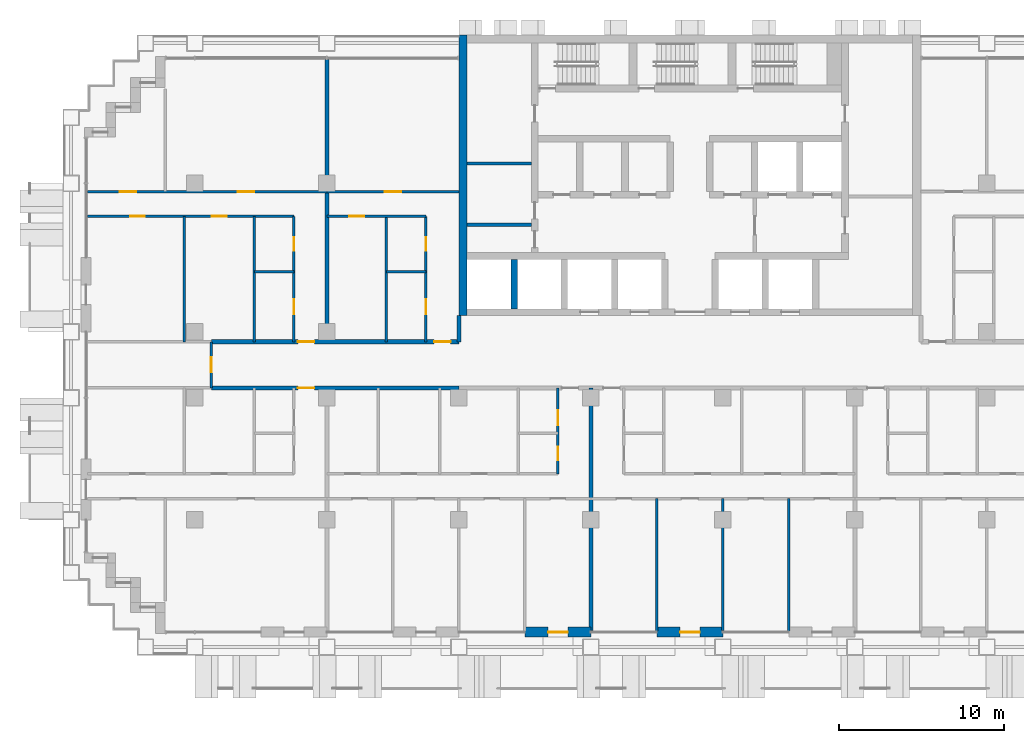
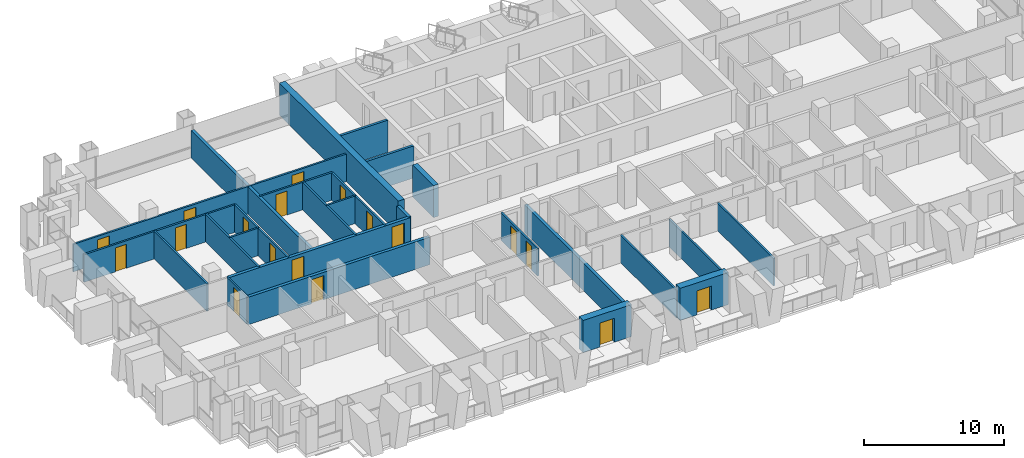
# One storey, part 10 of 19: 27 walls, 18 doors, 18 openings.
"""IFC4 building model written with IfcOpenShell, lengths in metres."""

from ifc_helpers import new_model, si_unit, direction, frame, frame_2d, origin, place, context, subcontext, project, spatial, rectangle, extrude, material, layer, layer_set, type_object, element, fill, save


model = new_model("IFC4")

# Units and contexts
model_context = context("Model", 3, precision=1e-05, world=origin(), true_north=direction((0.0, 1.0)))
body_context = subcontext(model_context, "Body", "Model", "MODEL_VIEW")
ifc_project = project(units=[si_unit("LENGTHUNIT", "METRE"), si_unit("AREAUNIT", "SQUARE_METRE"), si_unit("VOLUMEUNIT", "CUBIC_METRE"), si_unit("PLANEANGLEUNIT", "RADIAN"), si_unit("MASSUNIT", "GRAM", prefix="KILO")], contexts=[model_context])

# Site, building, storey
site_placement = place(None, origin())
site = spatial("IfcSite", under=ifc_project, at=site_placement, CompositionType="ELEMENT")
building_placement = place(site_placement, origin())
building = spatial("IfcBuilding", under=site, at=building_placement, Name="Vidyagriha Tower", CompositionType="ELEMENT")
storey_placement = place(building_placement, frame((0.0, 0.0, 60.800048828125)))
storey = spatial("IfcBuildingStorey", under=building, at=storey_placement, Name="L16", CompositionType="ELEMENT", Elevation=60.800048828125)

# Wall, opening, door
ifc_material_1 = material(Name="Precast concrete C40/50 with brick facing", Category="concrete")
ifc_layer_1 = layer(ifc_material_1, 0.60009765625)
ifc_layer_set_1 = layer_set([ifc_layer_1], Name="Precast concrete C40/50 with brick facing")
wall_type_1 = type_object("IfcWallType", Name="Brick-faced precast wall 600", PredefinedType="STANDARD", material=ifc_layer_set_1)
wall_1_placement = place(storey_placement, frame((-10.0, -16.199951171875, 0.0)))
wall_1 = element("IfcWall", 1, at=wall_1_placement, inside=storey, type_object=wall_type_1, Name="Brick door bay wall L16 R23.7", PredefinedType="STANDARD", context=body_context, shape_type="SweptSolid", body=[
    extrude(rectangle(XDim=4.0, YDim=0.60009765625, at=frame_2d((2.0, 0.0))), origin(), (0.0, 0.0, 1.0), 2.800048828125),
])
opening_1_placement = place(wall_1_placement, frame((1.39990234375, 0.0, 0.0)))
opening_1 = element("IfcOpeningElement", 2, at=opening_1_placement, cuts=wall_1, Name="Opening D16-85", PredefinedType="OPENING", context=body_context, shape_type="SweptSolid", body=[
    extrude(rectangle(XDim=1.199951171875, YDim=2.10009765625, at=frame_2d((0.60009765625, 1.050048828125))), frame((0.0, 0.31005859375, 0.0), z_axis=(0.0, -1.0, 0.0), x_axis=(1.0, 0.0, 0.0)), (0.0, 0.0, 1.0), 0.6201171875),
])
ifc_material_2 = material(Name="Aluminium framed glazed sliding door", Category="aluminium")
door_type_1 = type_object("IfcDoorType", Name="Balcony sliding door 1200x2100", OperationType="NOTDEFINED", PredefinedType="DOOR", material=ifc_material_2)
door_1_placement = place(opening_1_placement, origin())
door_1 = element("IfcDoor", 3, at=door_1_placement, inside=storey, type_object=door_type_1, Name="Door D16-85", OperationType="SLIDING_TO_LEFT", OverallHeight=2.10009765625, OverallWidth=1.199951171875, PredefinedType="DOOR", context=body_context, shape_type="SweptSolid", body=[
    extrude(rectangle(XDim=1.199951171875, YDim=2.10009765625, at=frame_2d((0.60009765625, 1.050048828125))), frame((0.0, 0.02490234375, 0.0), z_axis=(0.0, -1.0, 0.0), x_axis=(1.0, 0.0, 0.0)), (0.0, 0.0, 1.0), 0.050048828125),
])
fill(opening_1, door_1)

wall_2_placement = place(storey_placement, frame((-2.0, -16.199951171875, 0.0)))
wall_2 = element("IfcWall", 4, at=wall_2_placement, inside=storey, type_object=wall_type_1, Name="Brick door bay wall L16 R23.9", PredefinedType="STANDARD", context=body_context, shape_type="SweptSolid", body=[
    extrude(rectangle(XDim=4.0, YDim=0.60009765625, at=frame_2d((2.0, 0.0))), origin(), (0.0, 0.0, 1.0), 2.800048828125),
])
opening_2_placement = place(wall_2_placement, frame((1.39990234375, 0.0, 0.0)))
opening_2 = element("IfcOpeningElement", 5, at=opening_2_placement, cuts=wall_2, Name="Opening D16-86", PredefinedType="OPENING", context=body_context, shape_type="SweptSolid", body=[
    extrude(rectangle(XDim=1.199951171875, YDim=2.10009765625, at=frame_2d((0.60009765625, 1.050048828125))), frame((0.0, 0.31005859375, 0.0), z_axis=(0.0, -1.0, 0.0), x_axis=(1.0, 0.0, 0.0)), (0.0, 0.0, 1.0), 0.6201171875),
])
door_2_placement = place(opening_2_placement, origin())
door_2 = element("IfcDoor", 6, at=door_2_placement, inside=storey, type_object=door_type_1, Name="Door D16-86", OperationType="SLIDING_TO_LEFT", OverallHeight=2.10009765625, OverallWidth=1.199951171875, PredefinedType="DOOR", context=body_context, shape_type="SweptSolid", body=[
    extrude(rectangle(XDim=1.199951171875, YDim=2.10009765625, at=frame_2d((0.60009765625, 1.050048828125))), frame((0.0, 0.02490234375, 0.0), z_axis=(0.0, -1.0, 0.0), x_axis=(1.0, 0.0, 0.0)), (0.0, 0.0, 1.0), 0.050048828125),
])
fill(opening_2, door_2)

# Walls
ifc_material_3 = material(Name="Concrete C60/75", Category="concrete")
ifc_layer_2 = layer(ifc_material_3, 0.39990234375)
ifc_layer_set_2 = layer_set([ifc_layer_2], Name="Concrete C60/75")
wall_type_2 = type_object("IfcWallType", Name="Core shear wall 400 mm", PredefinedType="SHEAR", material=ifc_layer_set_2)
wall_3_placement = place(storey_placement, frame((-10.655517578125, 3.39990234375, 0.0), z_axis=(0.0, 0.0, 1.0), x_axis=(0.0, 1.0, 0.0)))
element("IfcWall", 7, at=wall_3_placement, inside=storey, type_object=wall_type_2, Name="Core bay wall S1", PredefinedType="SHEAR", context=body_context, shape_type="SweptSolid", body=[
    extrude(rectangle(XDim=3.0, YDim=0.39990234375, at=frame_2d((1.5, 0.0))), origin(), (0.0, 0.0, 1.0), 2.800048828125),
])
ifc_material_4 = material(Name="Concrete C60/75", Category="concrete")
ifc_layer_3 = layer(ifc_material_4, 0.5)
ifc_layer_set_3 = layer_set([ifc_layer_3], Name="Concrete C60/75")
wall_type_3 = type_object("IfcWallType", Name="Core shear wall 500 mm", PredefinedType="SHEAR", material=ifc_layer_set_3)
wall_4_placement = place(storey_placement, frame((-13.75, 3.0, 0.0), z_axis=(0.0, 0.0, 1.0), x_axis=(0.0, 1.0, 0.0)))
element("IfcWall", 8, at=wall_4_placement, inside=storey, type_object=wall_type_3, Name="Core west wall", PredefinedType="SHEAR", context=body_context, shape_type="SweptSolid", body=[
    extrude(rectangle(XDim=17.0, YDim=0.5, at=frame_2d((8.5, 0.0))), origin(), (0.0, 0.0, 1.0), 2.800048828125),
])

# Wall, opening, door
ifc_material_5 = material(Name="Fired clay brick masonry", Category="masonry")
ifc_layer_4 = layer(ifc_material_5, 0.25)
ifc_layer_set_4 = layer_set([ifc_layer_4], Name="Fired clay brick masonry")
wall_type_4 = type_object("IfcWallType", Name="Fired clay brick corridor wall 250", PredefinedType="PARTITIONING", material=ifc_layer_set_4)
wall_5_placement = place(storey_placement, frame((-14.0, -1.39990234375, 0.0), z_axis=(0.0, 0.0, 1.0), x_axis=(-1.0, 0.0, 0.0)))
wall_5 = element("IfcWall", 9, at=wall_5_placement, inside=storey, type_object=wall_type_4, Name="Wall all-L16-w089", PredefinedType="PARTITIONING", context=body_context, shape_type="SweptSolid", body=[
    extrude(rectangle(XDim=15.0, YDim=0.25, at=frame_2d((7.5, 0.0))), origin(), (0.0, 0.0, 1.0), 2.39990234375),
])
opening_3_placement = place(wall_5_placement, frame((8.760009765625, 0.0, 0.0)))
opening_3 = element("IfcOpeningElement", 10, at=opening_3_placement, cuts=wall_5, Name="Opening D16-21", PredefinedType="OPENING", context=body_context, shape_type="SweptSolid", body=[
    extrude(rectangle(XDim=1.0, YDim=2.10009765625, at=frame_2d((0.5, 1.050048828125))), frame((0.0, 0.135009765625, 0.0), z_axis=(0.0, -1.0, 0.0), x_axis=(1.0, 0.0, 0.0)), (0.0, 0.0, 1.0), 0.27001953125),
])
ifc_material_6 = material(Name="Fire-rated timber door leaf EI 60", Category="wood")
door_type_2 = type_object("IfcDoorType", Name="Flat entrance fire door 1000x2100", OperationType="NOTDEFINED", PredefinedType="DOOR", material=ifc_material_6)
door_3_placement = place(opening_3_placement, origin())
door_3 = element("IfcDoor", 11, at=door_3_placement, inside=storey, type_object=door_type_2, Name="Door D16-21", OperationType="SINGLE_SWING_LEFT", OverallHeight=2.10009765625, OverallWidth=1.0, PredefinedType="DOOR", context=body_context, shape_type="SweptSolid", body=[
    extrude(rectangle(XDim=1.0, YDim=2.10009765625, at=frame_2d((0.5, 1.050048828125))), frame((0.0, 0.02490234375, 0.0), z_axis=(0.0, -1.0, 0.0), x_axis=(1.0, 0.0, 0.0)), (0.0, 0.0, 1.0), 0.050048828125),
])
fill(opening_3, door_3)

# Wall, openings, doors
wall_6_placement = place(storey_placement, frame((-29.0, 1.39990234375, 0.0)))
wall_6 = element("IfcWall", 12, at=wall_6_placement, inside=storey, type_object=wall_type_4, Name="Wall all-L16-w118", PredefinedType="PARTITIONING", context=body_context, shape_type="SweptSolid", body=[
    extrude(rectangle(XDim=15.0, YDim=0.25, at=frame_2d((7.5, 0.0))), origin(), (0.0, 0.0, 1.0), 2.39990234375),
])
opening_4_placement = place(wall_6_placement, frame((5.239990234375, 0.0, 0.0)))
opening_4 = element("IfcOpeningElement", 13, at=opening_4_placement, cuts=wall_6, Name="Opening D16-63", PredefinedType="OPENING", context=body_context, shape_type="SweptSolid", body=[
    extrude(rectangle(XDim=1.0, YDim=2.10009765625, at=frame_2d((0.5, 1.050048828125))), frame((0.0, 0.135009765625, 0.0), z_axis=(0.0, -1.0, 0.0), x_axis=(1.0, 0.0, 0.0)), (0.0, 0.0, 1.0), 0.27001953125),
])
opening_5_placement = place(wall_6_placement, frame((13.5, 0.0, 0.0)))
opening_5 = element("IfcOpeningElement", 14, at=opening_5_placement, cuts=wall_6, Name="Opening D16-68", PredefinedType="OPENING", context=body_context, shape_type="SweptSolid", body=[
    extrude(rectangle(XDim=1.0, YDim=2.10009765625, at=frame_2d((0.5, 1.050048828125))), frame((0.0, 0.135009765625, 0.0), z_axis=(0.0, -1.0, 0.0), x_axis=(1.0, 0.0, 0.0)), (0.0, 0.0, 1.0), 0.27001953125),
])
door_4_placement = place(opening_4_placement, origin())
door_4 = element("IfcDoor", 15, at=door_4_placement, inside=storey, type_object=door_type_2, Name="Door D16-63", OperationType="SINGLE_SWING_RIGHT", OverallHeight=2.10009765625, OverallWidth=1.0, PredefinedType="DOOR", context=body_context, shape_type="SweptSolid", body=[
    extrude(rectangle(XDim=1.0, YDim=2.10009765625, at=frame_2d((0.5, 1.050048828125))), frame((0.0, 0.02490234375, 0.0), z_axis=(0.0, -1.0, 0.0), x_axis=(1.0, 0.0, 0.0)), (0.0, 0.0, 1.0), 0.050048828125),
])
fill(opening_4, door_4)
door_5_placement = place(opening_5_placement, origin())
door_5 = element("IfcDoor", 16, at=door_5_placement, inside=storey, type_object=door_type_2, Name="Door D16-68", OperationType="SINGLE_SWING_RIGHT", OverallHeight=2.10009765625, OverallWidth=1.0, PredefinedType="DOOR", context=body_context, shape_type="SweptSolid", body=[
    extrude(rectangle(XDim=1.0, YDim=2.10009765625, at=frame_2d((0.5, 1.050048828125))), frame((0.0, 0.02490234375, 0.0), z_axis=(0.0, -1.0, 0.0), x_axis=(1.0, 0.0, 0.0)), (0.0, 0.0, 1.0), 0.050048828125),
])
fill(opening_5, door_5)

# Walls
wall_7_placement = place(storey_placement, frame((-14.0, 3.0, 0.0), z_axis=(0.0, 0.0, 1.0), x_axis=(0.0, -1.0, 0.0)))
element("IfcWall", 17, at=wall_7_placement, inside=storey, type_object=wall_type_4, Name="Wall all-L16-w147", PredefinedType="PARTITIONING", context=body_context, shape_type="SweptSolid", body=[
    extrude(rectangle(XDim=1.60009765625, YDim=0.25, at=frame_2d((0.800048828125, 0.0))), origin(), (0.0, 0.0, 1.0), 2.39990234375),
])
ifc_material_7 = material(Name="Fired clay brick masonry", Category="masonry")
ifc_layer_5 = layer(ifc_material_7, 0.25)
ifc_layer_set_5 = layer_set([ifc_layer_5], Name="Fired clay brick masonry")
wall_type_5 = type_object("IfcWallType", Name="Fired clay brick demising wall 250", PredefinedType="PARTITIONING", material=ifc_layer_set_5)
wall_8_placement = place(storey_placement, frame((-6.0, -1.39990234375, 0.0), z_axis=(0.0, 0.0, 1.0), x_axis=(0.0, -1.0, 0.0)))
element("IfcWall", 18, at=wall_8_placement, inside=storey, type_object=wall_type_5, Name="Wall all-L16-w056", PredefinedType="PARTITIONING", context=body_context, shape_type="SweptSolid", body=[
    extrude(rectangle(XDim=14.710205078125, YDim=0.25, at=frame_2d((7.35498046875, 0.0))), origin(), (0.0, 0.0, 1.0), 2.39990234375),
])
wall_9_placement = place(storey_placement, frame((-22.0, 18.52099609375, 0.0), z_axis=(0.0, 0.0, 1.0), x_axis=(0.0, -1.0, 0.0)))
element("IfcWall", 19, at=wall_9_placement, inside=storey, type_object=wall_type_5, Name="Wall all-L16-w117", PredefinedType="PARTITIONING", context=body_context, shape_type="SweptSolid", body=[
    extrude(rectangle(XDim=17.12109375, YDim=0.25, at=frame_2d((8.560546875, 0.0))), origin(), (0.0, 0.0, 1.0), 2.39990234375),
])
ifc_material_8 = material(Name="Gypsum board partition")
ifc_layer_6 = layer(ifc_material_8, 0.14990234375)
ifc_layer_set_6 = layer_set([ifc_layer_6], Name="Gypsum board partition")
wall_type_6 = type_object("IfcWallType", Name="Gypsum board partition 150", PredefinedType="PARTITIONING", material=ifc_layer_set_6)
wall_10_placement = place(storey_placement, frame((-2.0, -8.10009765625, 0.0), z_axis=(0.0, 0.0, 1.0), x_axis=(0.0, -1.0, 0.0)))
element("IfcWall", 20, at=wall_10_placement, inside=storey, type_object=wall_type_6, Name="Wall all-L16-w052", PredefinedType="PARTITIONING", context=body_context, shape_type="SweptSolid", body=[
    extrude(rectangle(XDim=8.02099609375, YDim=0.14990234375, at=frame_2d((4.010498046875, 0.0))), origin(), (0.0, 0.0, 1.0), 2.39990234375),
])
wall_11_placement = place(storey_placement, frame((2.0, -8.10009765625, 0.0), z_axis=(0.0, 0.0, 1.0), x_axis=(0.0, -1.0, 0.0)))
element("IfcWall", 21, at=wall_11_placement, inside=storey, type_object=wall_type_6, Name="Wall all-L16-w053", PredefinedType="PARTITIONING", context=body_context, shape_type="SweptSolid", body=[
    extrude(rectangle(XDim=8.010009765625, YDim=0.14990234375, at=frame_2d((4.0048828125, 0.0))), origin(), (0.0, 0.0, 1.0), 2.39990234375),
])
wall_12_placement = place(storey_placement, frame((6.0, -8.10009765625, 0.0), z_axis=(0.0, 0.0, 1.0), x_axis=(0.0, -1.0, 0.0)))
element("IfcWall", 22, at=wall_12_placement, inside=storey, type_object=wall_type_6, Name="Wall all-L16-w054", PredefinedType="PARTITIONING", context=body_context, shape_type="SweptSolid", body=[
    extrude(rectangle(XDim=8.02099609375, YDim=0.14990234375, at=frame_2d((4.010498046875, 0.0))), origin(), (0.0, 0.0, 1.0), 2.39990234375),
])
wall_13_placement = place(storey_placement, frame((-26.39990234375, 5.64990234375, 0.0)))
element("IfcWall", 23, at=wall_13_placement, inside=storey, type_object=wall_type_6, Name="Wall all-L16-w096", PredefinedType="PARTITIONING", context=body_context, shape_type="SweptSolid", body=[
    extrude(rectangle(XDim=2.39990234375, YDim=0.14990234375, at=frame_2d((1.199951171875, 0.0))), origin(), (0.0, 0.0, 1.0), 2.39990234375),
])
for number, where, z_axis, x_axis, name in (
    (24, (-26.39990234375, 1.39990234375, 0.0), (0.0, 0.0, 1.0), (0.0, 1.0, 0.0), "Wall all-L16-w097"),
    (25, (-30.64990234375, 1.39990234375, 0.0), (0.0, 0.0, 1.0), (0.0, 1.0, 0.0), "Wall all-L16-w098"),
):
    element("IfcWall", number, at=place(storey_placement, frame(where, z_axis=z_axis, x_axis=x_axis)), inside=storey, type_object=wall_type_6, Name=name, PredefinedType="PARTITIONING", context=body_context, shape_type="SweptSolid", body=[
        extrude(rectangle(XDim=7.60009765625, YDim=0.14990234375, at=frame_2d((3.800048828125, 0.0))), origin(), (0.0, 0.0, 1.0), 2.39990234375),
    ])

# Wall, openings, doors
wall_14_placement = place(storey_placement, frame((-24.0, 9.0, 0.0), z_axis=(0.0, 0.0, 1.0), x_axis=(-1.0, 0.0, 0.0)))
wall_14 = element("IfcWall", 26, at=wall_14_placement, inside=storey, type_object=wall_type_6, Name="Wall all-L16-w099", PredefinedType="PARTITIONING", context=body_context, shape_type="SweptSolid", body=[
    extrude(rectangle(XDim=12.52001953125, YDim=0.14990234375, at=frame_2d((6.260009765625, 0.0))), origin(), (0.0, 0.0, 1.0), 2.39990234375),
])
opening_6_placement = place(wall_14_placement, frame((4.074951171875, 0.0, 0.0)))
opening_6 = element("IfcOpeningElement", 27, at=opening_6_placement, cuts=wall_14, Name="Opening D16-59", PredefinedType="OPENING", context=body_context, shape_type="SweptSolid", body=[
    extrude(rectangle(XDim=0.89990234375, YDim=2.10009765625, at=frame_2d((0.449951171875, 1.050048828125))), frame((0.0, 0.0849609375, 0.0), z_axis=(0.0, -1.0, 0.0), x_axis=(1.0, 0.0, 0.0)), (0.0, 0.0, 1.0), 0.169921875),
])
opening_7_placement = place(wall_14_placement, frame((9.02490234375, 0.0, 0.0)))
opening_7 = element("IfcOpeningElement", 28, at=opening_7_placement, cuts=wall_14, Name="Opening D16-60", PredefinedType="OPENING", context=body_context, shape_type="SweptSolid", body=[
    extrude(rectangle(XDim=0.89990234375, YDim=2.10009765625, at=frame_2d((0.449951171875, 1.050048828125))), frame((0.0, 0.0849609375, 0.0), z_axis=(0.0, -1.0, 0.0), x_axis=(1.0, 0.0, 0.0)), (0.0, 0.0, 1.0), 0.169921875),
])
ifc_material_9 = material(Name="Timber door leaf", Category="wood")
door_type_3 = type_object("IfcDoorType", Name="Room door 900x2100", OperationType="NOTDEFINED", PredefinedType="DOOR", material=ifc_material_9)
door_6_placement = place(opening_6_placement, origin())
door_6 = element("IfcDoor", 29, at=door_6_placement, inside=storey, type_object=door_type_3, Name="Door D16-59", OperationType="SINGLE_SWING_RIGHT", OverallHeight=2.10009765625, OverallWidth=0.89990234375, PredefinedType="DOOR", context=body_context, shape_type="SweptSolid", body=[
    extrude(rectangle(XDim=0.89990234375, YDim=2.10009765625, at=frame_2d((0.449951171875, 1.050048828125))), frame((0.0, 0.02490234375, 0.0), z_axis=(0.0, -1.0, 0.0), x_axis=(1.0, 0.0, 0.0)), (0.0, 0.0, 1.0), 0.050048828125),
])
fill(opening_6, door_6)
door_7_placement = place(opening_7_placement, origin())
door_7 = element("IfcDoor", 30, at=door_7_placement, inside=storey, type_object=door_type_3, Name="Door D16-60", OperationType="SINGLE_SWING_RIGHT", OverallHeight=2.10009765625, OverallWidth=0.89990234375, PredefinedType="DOOR", context=body_context, shape_type="SweptSolid", body=[
    extrude(rectangle(XDim=0.89990234375, YDim=2.10009765625, at=frame_2d((0.449951171875, 1.050048828125))), frame((0.0, 0.02490234375, 0.0), z_axis=(0.0, -1.0, 0.0), x_axis=(1.0, 0.0, 0.0)), (0.0, 0.0, 1.0), 0.050048828125),
])
fill(opening_7, door_7)

wall_15_placement = place(storey_placement, frame((-36.52001953125, 10.5, 0.0)))
wall_15 = element("IfcWall", 31, at=wall_15_placement, inside=storey, type_object=wall_type_6, Name="Wall all-L16-w102", PredefinedType="PARTITIONING", context=body_context, shape_type="SweptSolid", body=[
    extrude(rectangle(XDim=14.52001953125, YDim=0.14990234375, at=frame_2d((7.260009765625, 0.0))), origin(), (0.0, 0.0, 1.0), 2.39990234375),
])
opening_8_placement = place(wall_15_placement, frame((1.969970703125, 0.0, 0.0)))
opening_8 = element("IfcOpeningElement", 32, at=opening_8_placement, cuts=wall_15, Name="Opening D16-61", PredefinedType="OPENING", context=body_context, shape_type="SweptSolid", body=[
    extrude(rectangle(XDim=1.0, YDim=2.10009765625, at=frame_2d((0.5, 1.050048828125))), frame((0.0, 0.0849609375, 0.0), z_axis=(0.0, -1.0, 0.0), x_axis=(1.0, 0.0, 0.0)), (0.0, 0.0, 1.0), 0.169921875),
])
opening_9_placement = place(wall_15_placement, frame((9.1201171875, 0.0, 0.0)))
opening_9 = element("IfcOpeningElement", 33, at=opening_9_placement, cuts=wall_15, Name="Opening D16-62", PredefinedType="OPENING", context=body_context, shape_type="SweptSolid", body=[
    extrude(rectangle(XDim=1.0, YDim=2.10009765625, at=frame_2d((0.5, 1.050048828125))), frame((0.0, 0.0849609375, 0.0), z_axis=(0.0, -1.0, 0.0), x_axis=(1.0, 0.0, 0.0)), (0.0, 0.0, 1.0), 0.169921875),
])
ifc_material_10 = material(Name="Timber door leaf", Category="wood")
door_type_4 = type_object("IfcDoorType", Name="Room door 1000x2100", OperationType="NOTDEFINED", PredefinedType="DOOR", material=ifc_material_10)
door_8_placement = place(opening_8_placement, origin())
door_8 = element("IfcDoor", 34, at=door_8_placement, inside=storey, type_object=door_type_4, Name="Door D16-61", OperationType="SINGLE_SWING_RIGHT", OverallHeight=2.10009765625, OverallWidth=1.0, PredefinedType="DOOR", context=body_context, shape_type="SweptSolid", body=[
    extrude(rectangle(XDim=1.0, YDim=2.10009765625, at=frame_2d((0.5, 1.050048828125))), frame((0.0, 0.02490234375, 0.0), z_axis=(0.0, -1.0, 0.0), x_axis=(1.0, 0.0, 0.0)), (0.0, 0.0, 1.0), 0.050048828125),
])
fill(opening_8, door_8)
door_9_placement = place(opening_9_placement, origin())
door_9 = element("IfcDoor", 35, at=door_9_placement, inside=storey, type_object=door_type_4, Name="Door D16-62", OperationType="SINGLE_SWING_RIGHT", OverallHeight=2.10009765625, OverallWidth=1.0, PredefinedType="DOOR", context=body_context, shape_type="SweptSolid", body=[
    extrude(rectangle(XDim=1.0, YDim=2.10009765625, at=frame_2d((0.5, 1.050048828125))), frame((0.0, 0.02490234375, 0.0), z_axis=(0.0, -1.0, 0.0), x_axis=(1.0, 0.0, 0.0)), (0.0, 0.0, 1.0), 0.050048828125),
])
fill(opening_9, door_9)

# Walls
wall_16_placement = place(storey_placement, frame((-18.39990234375, 5.64990234375, 0.0)))
element("IfcWall", 36, at=wall_16_placement, inside=storey, type_object=wall_type_6, Name="Wall all-L16-w110", PredefinedType="PARTITIONING", context=body_context, shape_type="SweptSolid", body=[
    extrude(rectangle(XDim=2.39990234375, YDim=0.14990234375, at=frame_2d((1.199951171875, 0.0))), origin(), (0.0, 0.0, 1.0), 2.39990234375),
])
wall_17_placement = place(storey_placement, frame((-18.39990234375, 1.39990234375, 0.0), z_axis=(0.0, 0.0, 1.0), x_axis=(0.0, 1.0, 0.0)))
element("IfcWall", 37, at=wall_17_placement, inside=storey, type_object=wall_type_6, Name="Wall all-L16-w111", PredefinedType="PARTITIONING", context=body_context, shape_type="SweptSolid", body=[
    extrude(rectangle(XDim=7.60009765625, YDim=0.14990234375, at=frame_2d((3.800048828125, 0.0))), origin(), (0.0, 0.0, 1.0), 2.39990234375),
])

# Wall, opening, door
wall_18_placement = place(storey_placement, frame((-16.0, 9.0, 0.0), z_axis=(0.0, 0.0, 1.0), x_axis=(-1.0, 0.0, 0.0)))
wall_18 = element("IfcWall", 38, at=wall_18_placement, inside=storey, type_object=wall_type_6, Name="Wall all-L16-w112", PredefinedType="PARTITIONING", context=body_context, shape_type="SweptSolid", body=[
    extrude(rectangle(XDim=6.0, YDim=0.14990234375, at=frame_2d((3.0, 0.0))), origin(), (0.0, 0.0, 1.0), 2.39990234375),
])
opening_10_placement = place(wall_18_placement, frame((3.75, 0.0, 0.0)))
opening_10 = element("IfcOpeningElement", 39, at=opening_10_placement, cuts=wall_18, Name="Opening D16-66", PredefinedType="OPENING", context=body_context, shape_type="SweptSolid", body=[
    extrude(rectangle(XDim=0.89990234375, YDim=2.10009765625, at=frame_2d((0.449951171875, 1.050048828125))), frame((0.0, 0.0849609375, 0.0), z_axis=(0.0, -1.0, 0.0), x_axis=(1.0, 0.0, 0.0)), (0.0, 0.0, 1.0), 0.169921875),
])
door_10_placement = place(opening_10_placement, origin())
door_10 = element("IfcDoor", 40, at=door_10_placement, inside=storey, type_object=door_type_3, Name="Door D16-66", OperationType="SINGLE_SWING_RIGHT", OverallHeight=2.10009765625, OverallWidth=0.89990234375, PredefinedType="DOOR", context=body_context, shape_type="SweptSolid", body=[
    extrude(rectangle(XDim=0.89990234375, YDim=2.10009765625, at=frame_2d((0.449951171875, 1.050048828125))), frame((0.0, 0.02490234375, 0.0), z_axis=(0.0, -1.0, 0.0), x_axis=(1.0, 0.0, 0.0)), (0.0, 0.0, 1.0), 0.050048828125),
])
fill(opening_10, door_10)

wall_19_placement = place(storey_placement, frame((-22.0, 10.5, 0.0)))
wall_19 = element("IfcWall", 41, at=wall_19_placement, inside=storey, type_object=wall_type_6, Name="Wall all-L16-w114", PredefinedType="PARTITIONING", context=body_context, shape_type="SweptSolid", body=[
    extrude(rectangle(XDim=8.0, YDim=0.14990234375, at=frame_2d((4.0, 0.0))), origin(), (0.0, 0.0, 1.0), 2.39990234375),
])
opening_11_placement = place(wall_19_placement, frame((3.5, 0.0, 0.0)))
opening_11 = element("IfcOpeningElement", 42, at=opening_11_placement, cuts=wall_19, Name="Opening D16-67", PredefinedType="OPENING", context=body_context, shape_type="SweptSolid", body=[
    extrude(rectangle(XDim=1.0, YDim=2.10009765625, at=frame_2d((0.5, 1.050048828125))), frame((0.0, 0.0849609375, 0.0), z_axis=(0.0, -1.0, 0.0), x_axis=(1.0, 0.0, 0.0)), (0.0, 0.0, 1.0), 0.169921875),
])
door_11_placement = place(opening_11_placement, origin())
door_11 = element("IfcDoor", 43, at=door_11_placement, inside=storey, type_object=door_type_4, Name="Door D16-67", OperationType="SINGLE_SWING_RIGHT", OverallHeight=2.10009765625, OverallWidth=1.0, PredefinedType="DOOR", context=body_context, shape_type="SweptSolid", body=[
    extrude(rectangle(XDim=1.0, YDim=2.10009765625, at=frame_2d((0.5, 1.050048828125))), frame((0.0, 0.02490234375, 0.0), z_axis=(0.0, -1.0, 0.0), x_axis=(1.0, 0.0, 0.0)), (0.0, 0.0, 1.0), 0.050048828125),
])
fill(opening_11, door_11)

wall_20_placement = place(storey_placement, frame((-29.0, 1.39990234375, 0.0), z_axis=(0.0, 0.0, 1.0), x_axis=(0.0, -1.0, 0.0)))
wall_20 = element("IfcWall", 44, at=wall_20_placement, inside=storey, type_object=wall_type_6, Name="Wall all-L16-w142", PredefinedType="PARTITIONING", context=body_context, shape_type="SweptSolid", body=[
    extrude(rectangle(XDim=2.7998046875, YDim=0.14990234375, at=frame_2d((1.39990234375, 0.0))), origin(), (0.0, 0.0, 1.0), 2.39990234375),
])
opening_12_placement = place(wall_20_placement, frame((0.949951171875, 0.0, 0.0)))
opening_12 = element("IfcOpeningElement", 45, at=opening_12_placement, cuts=wall_20, Name="Opening D16-79", PredefinedType="OPENING", context=body_context, shape_type="SweptSolid", body=[
    extrude(rectangle(XDim=0.89990234375, YDim=2.10009765625, at=frame_2d((0.449951171875, 1.050048828125))), frame((0.0, 0.0849609375, 0.0), z_axis=(0.0, -1.0, 0.0), x_axis=(1.0, 0.0, 0.0)), (0.0, 0.0, 1.0), 0.169921875),
])
door_12_placement = place(opening_12_placement, origin())
door_12 = element("IfcDoor", 46, at=door_12_placement, inside=storey, type_object=door_type_3, Name="Door D16-79", OperationType="SINGLE_SWING_RIGHT", OverallHeight=2.10009765625, OverallWidth=0.89990234375, PredefinedType="DOOR", context=body_context, shape_type="SweptSolid", body=[
    extrude(rectangle(XDim=0.89990234375, YDim=2.10009765625, at=frame_2d((0.449951171875, 1.050048828125))), frame((0.0, 0.02490234375, 0.0), z_axis=(0.0, -1.0, 0.0), x_axis=(1.0, 0.0, 0.0)), (0.0, 0.0, 1.0), 0.050048828125),
])
fill(opening_12, door_12)

# Wall, openings, doors
ifc_material_11 = material(Name="Moisture resistant gypsum board partition")
ifc_layer_7 = layer(ifc_material_11, 0.14990234375)
ifc_layer_set_7 = layer_set([ifc_layer_7], Name="Moisture resistant gypsum board partition")
wall_type_7 = type_object("IfcWallType", Name="Gypsum board wet-area partition 150", PredefinedType="PARTITIONING", material=ifc_layer_set_7)
wall_21_placement = place(storey_placement, frame((-8.0, -6.60009765625, 0.0), z_axis=(0.0, 0.0, 1.0), x_axis=(0.0, 1.0, 0.0)))
wall_21 = element("IfcWall", 47, at=wall_21_placement, inside=storey, type_object=wall_type_7, Name="Wall all-L16-w015", PredefinedType="PARTITIONING", context=body_context, shape_type="SweptSolid", body=[
    extrude(rectangle(XDim=5.2001953125, YDim=0.14990234375, at=frame_2d((2.60009765625, 0.0))), origin(), (0.0, 0.0, 1.0), 2.39990234375),
])
opening_13_placement = place(wall_21_placement, frame((2.93994140625, 0.0, 0.0)))
opening_13 = element("IfcOpeningElement", 48, at=opening_13_placement, cuts=wall_21, Name="Opening D16-22", PredefinedType="OPENING", context=body_context, shape_type="SweptSolid", body=[
    extrude(rectangle(XDim=0.89990234375, YDim=2.10009765625, at=frame_2d((0.449951171875, 1.050048828125))), frame((0.0, 0.0849609375, 0.0), z_axis=(0.0, -1.0, 0.0), x_axis=(1.0, 0.0, 0.0)), (0.0, 0.0, 1.0), 0.169921875),
])
opening_14_placement = place(wall_21_placement, frame((0.824951171875, 0.0, 0.0)))
opening_14 = element("IfcOpeningElement", 49, at=opening_14_placement, cuts=wall_21, Name="Opening D16-23", PredefinedType="OPENING", context=body_context, shape_type="SweptSolid", body=[
    extrude(rectangle(XDim=0.800048828125, YDim=2.10009765625, at=frame_2d((0.39990234375, 1.050048828125))), frame((0.0, 0.0849609375, 0.0), z_axis=(0.0, -1.0, 0.0), x_axis=(1.0, 0.0, 0.0)), (0.0, 0.0, 1.0), 0.169921875),
])
ifc_material_12 = material(Name="Timber door leaf", Category="wood")
door_type_5 = type_object("IfcDoorType", Name="Bathroom door 800x2100", OperationType="NOTDEFINED", PredefinedType="DOOR", material=ifc_material_12)
door_13_placement = place(opening_14_placement, origin())
door_13 = element("IfcDoor", 50, at=door_13_placement, inside=storey, type_object=door_type_5, Name="Door D16-23", OperationType="SINGLE_SWING_RIGHT", OverallHeight=2.10009765625, OverallWidth=0.800048828125, PredefinedType="DOOR", context=body_context, shape_type="SweptSolid", body=[
    extrude(rectangle(XDim=0.800048828125, YDim=2.10009765625, at=frame_2d((0.39990234375, 1.050048828125))), frame((0.0, 0.02490234375, 0.0), z_axis=(0.0, -1.0, 0.0), x_axis=(1.0, 0.0, 0.0)), (0.0, 0.0, 1.0), 0.050048828125),
])
fill(opening_14, door_13)
ifc_material_13 = material(Name="Timber door leaf", Category="wood")
door_type_6 = type_object("IfcDoorType", Name="Kitchen door 900x2100", OperationType="NOTDEFINED", PredefinedType="DOOR", material=ifc_material_13)
door_14_placement = place(opening_13_placement, origin())
door_14 = element("IfcDoor", 51, at=door_14_placement, inside=storey, type_object=door_type_6, Name="Door D16-22", OperationType="SINGLE_SWING_LEFT", OverallHeight=2.10009765625, OverallWidth=0.89990234375, PredefinedType="DOOR", context=body_context, shape_type="SweptSolid", body=[
    extrude(rectangle(XDim=0.89990234375, YDim=2.10009765625, at=frame_2d((0.449951171875, 1.050048828125))), frame((0.0, 0.02490234375, 0.0), z_axis=(0.0, -1.0, 0.0), x_axis=(1.0, 0.0, 0.0)), (0.0, 0.0, 1.0), 0.050048828125),
])
fill(opening_13, door_14)

wall_22_placement = place(storey_placement, frame((-24.0, 1.39990234375, 0.0), z_axis=(0.0, 0.0, 1.0), x_axis=(0.0, 1.0, 0.0)))
wall_22 = element("IfcWall", 52, at=wall_22_placement, inside=storey, type_object=wall_type_7, Name="Wall all-L16-w093", PredefinedType="PARTITIONING", context=body_context, shape_type="SweptSolid", body=[
    extrude(rectangle(XDim=7.60009765625, YDim=0.14990234375, at=frame_2d((3.800048828125, 0.0))), origin(), (0.0, 0.0, 1.0), 2.39990234375),
])
opening_15_placement = place(wall_22_placement, frame((1.675048828125, 0.0, 0.0)))
opening_15 = element("IfcOpeningElement", 53, at=opening_15_placement, cuts=wall_22, Name="Opening D16-57", PredefinedType="OPENING", context=body_context, shape_type="SweptSolid", body=[
    extrude(rectangle(XDim=0.89990234375, YDim=2.10009765625, at=frame_2d((0.449951171875, 1.050048828125))), frame((0.0, 0.0849609375, 0.0), z_axis=(0.0, -1.0, 0.0), x_axis=(1.0, 0.0, 0.0)), (0.0, 0.0, 1.0), 0.169921875),
])
opening_16_placement = place(wall_22_placement, frame((5.52490234375, 0.0, 0.0)))
opening_16 = element("IfcOpeningElement", 54, at=opening_16_placement, cuts=wall_22, Name="Opening D16-58", PredefinedType="OPENING", context=body_context, shape_type="SweptSolid", body=[
    extrude(rectangle(XDim=0.800048828125, YDim=2.10009765625, at=frame_2d((0.39990234375, 1.050048828125))), frame((0.0, 0.0849609375, 0.0), z_axis=(0.0, -1.0, 0.0), x_axis=(1.0, 0.0, 0.0)), (0.0, 0.0, 1.0), 0.169921875),
])
door_15_placement = place(opening_16_placement, origin())
door_15 = element("IfcDoor", 55, at=door_15_placement, inside=storey, type_object=door_type_5, Name="Door D16-58", OperationType="SINGLE_SWING_RIGHT", OverallHeight=2.10009765625, OverallWidth=0.800048828125, PredefinedType="DOOR", context=body_context, shape_type="SweptSolid", body=[
    extrude(rectangle(XDim=0.800048828125, YDim=2.10009765625, at=frame_2d((0.39990234375, 1.050048828125))), frame((0.0, 0.02490234375, 0.0), z_axis=(0.0, -1.0, 0.0), x_axis=(1.0, 0.0, 0.0)), (0.0, 0.0, 1.0), 0.050048828125),
])
fill(opening_16, door_15)
door_16_placement = place(opening_15_placement, origin())
door_16 = element("IfcDoor", 56, at=door_16_placement, inside=storey, type_object=door_type_6, Name="Door D16-57", OperationType="SINGLE_SWING_LEFT", OverallHeight=2.10009765625, OverallWidth=0.89990234375, PredefinedType="DOOR", context=body_context, shape_type="SweptSolid", body=[
    extrude(rectangle(XDim=0.89990234375, YDim=2.10009765625, at=frame_2d((0.449951171875, 1.050048828125))), frame((0.0, 0.02490234375, 0.0), z_axis=(0.0, -1.0, 0.0), x_axis=(1.0, 0.0, 0.0)), (0.0, 0.0, 1.0), 0.050048828125),
])
fill(opening_15, door_16)

wall_23_placement = place(storey_placement, frame((-16.0, 1.39990234375, 0.0), z_axis=(0.0, 0.0, 1.0), x_axis=(0.0, 1.0, 0.0)))
wall_23 = element("IfcWall", 57, at=wall_23_placement, inside=storey, type_object=wall_type_7, Name="Wall all-L16-w107", PredefinedType="PARTITIONING", context=body_context, shape_type="SweptSolid", body=[
    extrude(rectangle(XDim=7.60009765625, YDim=0.14990234375, at=frame_2d((3.800048828125, 0.0))), origin(), (0.0, 0.0, 1.0), 2.39990234375),
])
opening_17_placement = place(wall_23_placement, frame((1.675048828125, 0.0, 0.0)))
opening_17 = element("IfcOpeningElement", 58, at=opening_17_placement, cuts=wall_23, Name="Opening D16-64", PredefinedType="OPENING", context=body_context, shape_type="SweptSolid", body=[
    extrude(rectangle(XDim=0.89990234375, YDim=2.10009765625, at=frame_2d((0.449951171875, 1.050048828125))), frame((0.0, 0.0849609375, 0.0), z_axis=(0.0, -1.0, 0.0), x_axis=(1.0, 0.0, 0.0)), (0.0, 0.0, 1.0), 0.169921875),
])
opening_18_placement = place(wall_23_placement, frame((5.52490234375, 0.0, 0.0)))
opening_18 = element("IfcOpeningElement", 59, at=opening_18_placement, cuts=wall_23, Name="Opening D16-65", PredefinedType="OPENING", context=body_context, shape_type="SweptSolid", body=[
    extrude(rectangle(XDim=0.800048828125, YDim=2.10009765625, at=frame_2d((0.39990234375, 1.050048828125))), frame((0.0, 0.0849609375, 0.0), z_axis=(0.0, -1.0, 0.0), x_axis=(1.0, 0.0, 0.0)), (0.0, 0.0, 1.0), 0.169921875),
])
door_17_placement = place(opening_18_placement, origin())
door_17 = element("IfcDoor", 60, at=door_17_placement, inside=storey, type_object=door_type_5, Name="Door D16-65", OperationType="SINGLE_SWING_RIGHT", OverallHeight=2.10009765625, OverallWidth=0.800048828125, PredefinedType="DOOR", context=body_context, shape_type="SweptSolid", body=[
    extrude(rectangle(XDim=0.800048828125, YDim=2.10009765625, at=frame_2d((0.39990234375, 1.050048828125))), frame((0.0, 0.02490234375, 0.0), z_axis=(0.0, -1.0, 0.0), x_axis=(1.0, 0.0, 0.0)), (0.0, 0.0, 1.0), 0.050048828125),
])
fill(opening_18, door_17)
door_18_placement = place(opening_17_placement, origin())
door_18 = element("IfcDoor", 61, at=door_18_placement, inside=storey, type_object=door_type_6, Name="Door D16-64", OperationType="SINGLE_SWING_LEFT", OverallHeight=2.10009765625, OverallWidth=0.89990234375, PredefinedType="DOOR", context=body_context, shape_type="SweptSolid", body=[
    extrude(rectangle(XDim=0.89990234375, YDim=2.10009765625, at=frame_2d((0.449951171875, 1.050048828125))), frame((0.0, 0.02490234375, 0.0), z_axis=(0.0, -1.0, 0.0), x_axis=(1.0, 0.0, 0.0)), (0.0, 0.0, 1.0), 0.050048828125),
])
fill(opening_17, door_18)

# Walls
ifc_material_14 = material(Name="Blockwork 15 MPa", Category="masonry")
ifc_layer_8 = layer(ifc_material_14, 0.199951171875)
ifc_layer_set_8 = layer_set([ifc_layer_8], Name="Blockwork 15 MPa")
wall_type_8 = type_object("IfcWallType", Name="Service room partition 200 mm", PredefinedType="PARTITIONING", material=ifc_layer_set_8)
for number, where, name in (
    (62, (-13.5, 8.5, 0.0), "Core room partition W1"),
    (63, (-13.5, 12.199951171875, 0.0), "Core room partition W2"),
):
    element("IfcWall", number, at=place(storey_placement, frame(where)), inside=storey, type_object=wall_type_8, Name=name, PredefinedType="PARTITIONING", context=body_context, shape_type="SweptSolid", body=[
        extrude(rectangle(XDim=3.89990234375, YDim=0.199951171875, at=frame_2d((1.949951171875, 0.0))), origin(), (0.0, 0.0, 1.0), 2.800048828125),
    ])

save(model, "model.ifc")
